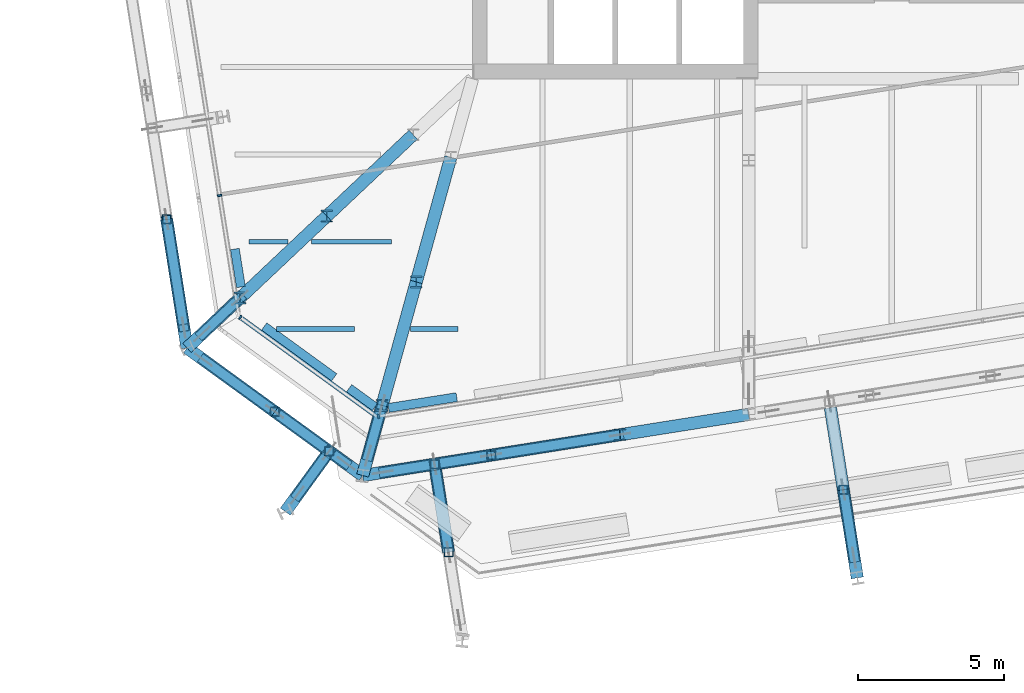
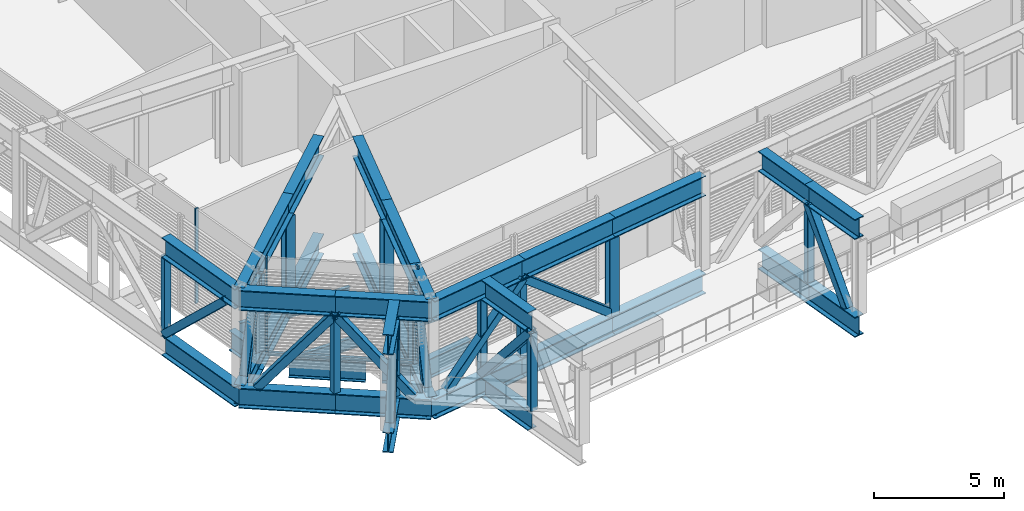
# One storey, part 3 of 35: 40 beams, 26 members, 3 elements without a shape of their own.
"""IFC4 building model written with IfcOpenShell, lengths in metres."""

from ifc_helpers import new_model, si_unit, direction, frame, origin, origin_2d, place, context, subcontext, project, spatial, rectangle, hollow_rectangle, i_section, extrude, material, layer, layer_set, material_profile, profile_set, type_object, element, aggregate, save


model = new_model("IFC4")

# Units and contexts
model_context = context("Model", 3, precision=1e-05, world=origin(), true_north=direction((0.0, 1.0)))
body_context = subcontext(model_context, "Body", "Model", "MODEL_VIEW")
ifc_project = project(units=[si_unit("LENGTHUNIT", "METRE"), si_unit("AREAUNIT", "SQUARE_METRE"), si_unit("VOLUMEUNIT", "CUBIC_METRE"), si_unit("PLANEANGLEUNIT", "RADIAN"), si_unit("MASSUNIT", "GRAM", prefix="KILO")], contexts=[model_context])

# Site, building, storey
site_placement = place(None, origin())
site = spatial("IfcSite", under=ifc_project, at=site_placement, CompositionType="ELEMENT")
building_placement = place(site_placement, origin())
building = spatial("IfcBuilding", under=site, at=building_placement, Name="Millrace Tower", CompositionType="ELEMENT")
storey_placement = place(building_placement, frame((0.0, 0.0, 200.10009765625)))
storey = spatial("IfcBuildingStorey", under=building, at=storey_placement, Name="L45", CompositionType="ELEMENT", Elevation=200.10009765625)

# Curtain wall, member
ifc_material_1 = material(Name="Aluminium and glass", Category="aluminium")
ifc_layer = layer(ifc_material_1, 0.14990234375)
ifc_layer_set = layer_set([ifc_layer], Name="Aluminium and glass")
curtain_wall_type = type_object("IfcCurtainWallType", Name="CW-5 truss and plant storey louvred infill", PredefinedType="NOTDEFINED", material=ifc_layer_set)
placement = place(storey_placement, origin())
curtain_wall_1 = element("IfcCurtainWall", 1, at=placement, inside=storey, type_object=curtain_wall_type, Name="Curtain wall D-F01 L45", PredefinedType="NOTDEFINED")
ifc_material_2 = material(Name="Aluminium", Category="aluminium")
ifc_material_profile_1 = material_profile(ifc_material_2, rectangle(XDim=0.06494140625, YDim=0.14990234375, at=origin_2d()))
ifc_profile_set_1 = profile_set([ifc_material_profile_1], Name="Aluminium")
member_type_1 = type_object("IfcMemberType", Name="CW-5 truss and plant storey louvred infill mullion", PredefinedType="MULLION", material=ifc_profile_set_1)
member_1_placement = place(storey_placement, frame((-22.3779296875, -17.594970703125, 0.139892578125), z_axis=(0.0, 0.0, 1.0), x_axis=(0.809016955361, -0.587785305991, 0.0)))
member_1 = element("IfcMember", 2, at=member_1_placement, type_object=member_type_1, Name="CW5 mullion D-F01.1", PredefinedType="MULLION", context=body_context, shape_type="SweptSolid", body=[
    extrude(rectangle(XDim=0.06494140625, YDim=0.14990234375, at=origin_2d()), origin(), (0.0, 0.0, 1.0), 4.4599609375),
])

curtain_wall_2 = element("IfcCurtainWall", 3, at=placement, inside=storey, type_object=curtain_wall_type, Name="Curtain wall D-F02 L45", PredefinedType="NOTDEFINED")
member_2_placement = place(storey_placement, frame((-17.62548828125, -20.992431640625, 0.139892578125), z_axis=(0.0, 0.0, 1.0), x_axis=(0.987688339511, 0.156434471884, 0.0)))
member_2 = element("IfcMember", 4, at=member_2_placement, type_object=member_type_1, Name="CW5 mullion D-F02.1", PredefinedType="MULLION", context=body_context, shape_type="SweptSolid", body=[
    extrude(rectangle(XDim=0.06494140625, YDim=0.14990234375, at=origin_2d()), origin(), (0.0, 0.0, 1.0), 4.4599609375),
])
aggregate(curtain_wall_2, [member_2])

curtain_wall_3 = element("IfcCurtainWall", 5, at=placement, inside=storey, type_object=curtain_wall_type, Name="Curtain wall D-F08 L45", PredefinedType="NOTDEFINED")
member_3_placement = place(storey_placement, frame((-23.086181640625, -13.410888671875, 0.139892578125), z_axis=(0.0, 0.0, 1.0), x_axis=(0.156434471884, -0.987688339511, 0.0)))
member_3 = element("IfcMember", 6, at=member_3_placement, type_object=member_type_1, Name="CW5 mullion D-F08.9", PredefinedType="MULLION", context=body_context, shape_type="SweptSolid", body=[
    extrude(rectangle(XDim=0.06494140625, YDim=0.14990234375, at=origin_2d()), origin(), (0.0, 0.0, 1.0), 4.4599609375),
])
aggregate(curtain_wall_3, [member_3])

# Member
ifc_material_3 = material(Name="Aluminium", Category="aluminium")
ifc_material_profile_2 = material_profile(ifc_material_3, rectangle(XDim=0.14990234375, YDim=0.139892578125, at=origin_2d()))
ifc_profile_set_2 = profile_set([ifc_material_profile_2], Name="Aluminium")
member_type_2 = type_object("IfcMemberType", Name="CW-5 truss and plant storey louvred infill transom", PredefinedType="USERDEFINED", material=ifc_profile_set_2)
member_4_placement = place(storey_placement, frame((-22.323486328125, -17.634765625, 0.06982421875), z_axis=(0.809033935994, -0.587761933448, 0.0), x_axis=(0.587761933448, 0.809033935994, 0.0)))
member_4 = element("IfcMember", 7, at=member_4_placement, type_object=member_type_2, Name="CW5 transom D-F01.1", ObjectType="TRANSOM", PredefinedType="USERDEFINED", context=body_context, shape_type="SweptSolid", body=[
    extrude(rectangle(XDim=0.14990234375, YDim=0.139892578125, at=origin_2d()), origin(), (0.0, 0.0, 1.0), 5.598388671875),
])

aggregate(curtain_wall_1, [member_1, member_4])

# Beams
ifc_material_4 = material(Name="Steel ASTM A992 Grade 50", Category="steel")
ifc_material_profile_3 = material_profile(ifc_material_4, i_section(OverallWidth=0.1650390625, OverallDepth=0.52587890625, WebThickness=0.0087890625, FlangeThickness=0.011474609375, FilletRadius=0.0126953125, at=origin_2d()))
ifc_profile_set_3 = profile_set([ifc_material_profile_3], Name="Steel ASTM A992 Grade 50")
beam_type_1 = type_object("IfcBeamType", Name="Floor beam W21x44", PredefinedType="JOIST", material=ifc_profile_set_3)
beam_1_placement = place(storey_placement, frame((-21.13427734375, -18.0, -0.423095703125), z_axis=(1.0, 0.0, 0.0), x_axis=(0.0, 1.0, 0.0)))
element("IfcBeam", 8, at=beam_1_placement, inside=storey, type_object=beam_type_1, Name="BM-D-L45-S1-S001-a", PredefinedType="JOIST", context=body_context, shape_type="SweptSolid", body=[
    extrude(i_section(OverallWidth=0.1650390625, OverallDepth=0.52587890625, WebThickness=0.0087890625, FlangeThickness=0.011474609375, FilletRadius=0.0126953125, at=origin_2d()), origin(), (0.0, 0.0, 1.0), 2.685546875),
])
beam_2_placement = place(storey_placement, frame((-16.5361328125, -18.0, -0.423095703125), z_axis=(1.0, 0.0, 0.0), x_axis=(0.0, 1.0, 0.0)))
element("IfcBeam", 9, at=beam_2_placement, inside=storey, type_object=beam_type_1, Name="BM-D-L45-S1-S001-b", PredefinedType="JOIST", context=body_context, shape_type="SweptSolid", body=[
    extrude(i_section(OverallWidth=0.1650390625, OverallDepth=0.52587890625, WebThickness=0.0087890625, FlangeThickness=0.011474609375, FilletRadius=0.0126953125, at=origin_2d()), origin(), (0.0, 0.0, 1.0), 1.6328125),
])
beam_3_placement = place(storey_placement, frame((-22.08154296875, -15.0, -0.423095703125), z_axis=(1.0, 0.0, 0.0), x_axis=(0.0, 1.0, 0.0)))
element("IfcBeam", 10, at=beam_3_placement, inside=storey, type_object=beam_type_1, Name="BM-D-L45-S1-S002-a-a", PredefinedType="JOIST", context=body_context, shape_type="SweptSolid", body=[
    extrude(i_section(OverallWidth=0.1650390625, OverallDepth=0.52587890625, WebThickness=0.0087890625, FlangeThickness=0.011474609375, FilletRadius=0.0126953125, at=origin_2d()), origin(), (0.0, 0.0, 1.0), 1.341064453125),
])
beam_4_placement = place(storey_placement, frame((-19.9375, -15.0, -0.423095703125), z_axis=(1.0, 0.0, 0.0), x_axis=(0.0, 1.0, 0.0)))
element("IfcBeam", 11, at=beam_4_placement, inside=storey, type_object=beam_type_1, Name="BM-D-L45-S1-S002-a-b", PredefinedType="JOIST", context=body_context, shape_type="SweptSolid", body=[
    extrude(i_section(OverallWidth=0.1650390625, OverallDepth=0.52587890625, WebThickness=0.0087890625, FlangeThickness=0.011474609375, FilletRadius=0.0126953125, at=origin_2d()), origin(), (0.0, 0.0, 1.0), 2.7568359375),
])
ifc_material_5 = material(Name="Steel ASTM A992 Grade 50", Category="steel")
ifc_material_profile_4 = material_profile(ifc_material_5, i_section(OverallWidth=0.307373046875, OverallDepth=0.927001953125, WebThickness=0.01953125, FlangeThickness=0.031982421875, FilletRadius=0.01904296875, at=origin_2d()))
ifc_profile_set_4 = profile_set([ifc_material_profile_4], Name="Steel ASTM A992 Grade 50")
beam_type_2 = type_object("IfcBeamType", Name="Ring beam short span W36x194", PredefinedType="SPANDREL", material=ifc_profile_set_4)
beam_5_placement = place(storey_placement, frame((-19.1513671875, -19.65673828125, -0.62353515625), z_axis=(-0.808998638926, 0.587810515571, 0.0), x_axis=(-0.587810515571, -0.808998638926, 0.0)))
element("IfcBeam", 12, at=beam_5_placement, inside=storey, type_object=beam_type_2, Name="RNG-D-L45-S1-16-b", PredefinedType="SPANDREL", context=body_context, shape_type="SweptSolid", body=[
    extrude(i_section(OverallWidth=0.307373046875, OverallDepth=0.927001953125, WebThickness=0.01953125, FlangeThickness=0.031982421875, FilletRadius=0.01904296875, at=origin_2d()), origin(), (0.0, 0.0, 1.0), 2.974609375),
])
beam_6_placement = place(storey_placement, frame((-17.75048828125, -20.674560546875, -0.62353515625), z_axis=(-0.808928348307, 0.587907243794, 0.0), x_axis=(-0.587907243794, -0.808928348307, 0.0)))
element("IfcBeam", 13, at=beam_6_placement, inside=storey, type_object=beam_type_2, Name="RNG-D-L45-S1-16-a", PredefinedType="SPANDREL", context=body_context, shape_type="SweptSolid", body=[
    extrude(i_section(OverallWidth=0.307373046875, OverallDepth=0.927001953125, WebThickness=0.01953125, FlangeThickness=0.031982421875, FilletRadius=0.01904296875, at=origin_2d()), origin(), (0.0, 0.0, 1.0), 1.097900390625),
])
beam_7_placement = place(storey_placement, frame((-14.941650390625, -20.3359375, -0.62353515625), z_axis=(-0.987693622101, -0.156401115282, 0.0), x_axis=(0.156401115282, -0.987693622101, 0.0)))
element("IfcBeam", 14, at=beam_7_placement, inside=storey, type_object=beam_type_2, Name="RNG-D-L45-S1-15-b", PredefinedType="SPANDREL", context=body_context, shape_type="SweptSolid", body=[
    extrude(i_section(OverallWidth=0.307373046875, OverallDepth=0.927001953125, WebThickness=0.01953125, FlangeThickness=0.031982421875, FilletRadius=0.01904296875, at=origin_2d()), origin(), (0.0, 0.0, 1.0), 2.372802734375),
])
beam_8_placement = place(storey_placement, frame((-22.357177734375, -16.552490234375, -0.62353515625), z_axis=(-0.156484349296, 0.987680438414, 0.0), x_axis=(-0.987680438414, -0.156484349296, 0.0)))
element("IfcBeam", 15, at=beam_8_placement, inside=storey, type_object=beam_type_2, Name="RNG-D-L45-S1-01", PredefinedType="SPANDREL", context=body_context, shape_type="SweptSolid", body=[
    extrude(i_section(OverallWidth=0.307373046875, OverallDepth=0.927001953125, WebThickness=0.01953125, FlangeThickness=0.031982421875, FilletRadius=0.01904296875, at=origin_2d()), origin(), (0.0, 0.0, 1.0), 1.321533203125),
])

# Members
ifc_material_6 = material(Name="Steel ASTM A992 Grade 50", Category="steel")
ifc_material_profile_5 = material_profile(ifc_material_6, i_section(OverallWidth=0.40380859375, OverallDepth=0.406494140625, WebThickness=0.027099609375, FlangeThickness=0.043701171875, FilletRadius=0.01513671875, at=origin_2d()))
ifc_profile_set_5 = profile_set([ifc_material_profile_5], Name="Steel ASTM A992 Grade 50")
member_type_3 = type_object("IfcMemberType", Name="Transfer truss Vierendeel moment post W14x233", PredefinedType="POST", material=ifc_profile_set_5)
for number, where, z_axis, x_axis, name in (
    (16, (-9.33251953125, -21.6279296875, -0.16015625), (0.0, 0.0, 1.0), (1.0, 0.0, 0.0), "TRS-L45-R02-V02"),
    (17, (-22.38720703125, -16.931396484375, -0.16015625), (0.0, 0.0, 1.0), (1.0, 0.0, 0.0), "TRS-L45-C01-V01"),
    (18, (-19.404052734375, -14.118408203125, -0.16015625), (0.0, 0.0, 1.0), (1.0, 0.0, 0.0), "TRS-L45-C01-V02"),
    (19, (-17.50732421875, -20.619140625, -0.16015625), (0.0, 0.0, 1.0), (1.0, 0.0, 0.0), "TRS-L45-C02-V01"),
    (20, (-16.3330078125, -16.378662109375, -0.16015625), (0.0, 0.0, 1.0), (1.0, 0.0, 0.0), "TRS-L45-C02-V02"),
):
    element("IfcMember", number, at=place(storey_placement, frame(where, z_axis=z_axis, x_axis=x_axis)), inside=storey, type_object=member_type_3, Name=name, PredefinedType="POST", context=body_context, shape_type="SweptSolid", body=[
        extrude(i_section(OverallWidth=0.40380859375, OverallDepth=0.406494140625, WebThickness=0.027099609375, FlangeThickness=0.043701171875, FilletRadius=0.01513671875, at=origin_2d()), origin(), (0.0, 0.0, 1.0), 3.652587890625),
    ])

# Beams
ifc_material_7 = material(Name="Steel ASTM A992 Grade 50", Category="steel")
ifc_material_profile_6 = material_profile(ifc_material_7, i_section(OverallWidth=0.424072265625, OverallDepth=0.947509765625, WebThickness=0.02392578125, FlangeThickness=0.042724609375, FilletRadius=0.024169921875, at=origin_2d()))
ifc_profile_set_6 = profile_set([ifc_material_profile_6], Name="Steel ASTM A992 Grade 50")
beam_type_3 = type_object("IfcBeamType", Name="Transfer truss chord W36x302", PredefinedType="BEAM", material=ifc_profile_set_6)
for number, where, z_axis, x_axis, name in (
    (21, (-24.2060546875, -18.646484375, -0.6337890625), (0.809024883744, -0.587774393355, 0.0), (0.587774393355, 0.809024883744, 0.0), "TRS-L45-R01-B01"),
    (22, (-24.2060546875, -18.646484375, 3.96630859375), (0.809024883744, -0.587774393355, 0.0), (0.587774393355, 0.809024883744, 0.0), "TRS-L45-R01-T01"),
):
    element("IfcBeam", number, at=place(storey_placement, frame(where, z_axis=z_axis, x_axis=x_axis)), inside=storey, type_object=beam_type_3, Name=name, PredefinedType="BEAM", context=body_context, shape_type="SweptSolid", body=[
        extrude(i_section(OverallWidth=0.424072265625, OverallDepth=0.947509765625, WebThickness=0.02392578125, FlangeThickness=0.042724609375, FilletRadius=0.024169921875, at=origin_2d()), origin(), (0.0, 0.0, 1.0), 3.7275390625),
    ])
for number, where, z_axis, x_axis, name in (
    (23, (-21.1904296875, -20.83740234375, -0.6337890625), (0.809047509932, -0.587743248938, 0.0), (0.587743248938, 0.809047509932, 0.0), "TRS-L45-R01-B02"),
    (24, (-21.1904296875, -20.83740234375, 3.96630859375), (0.809047509932, -0.587743248938, 0.0), (0.587743248938, 0.809047509932, 0.0), "TRS-L45-R01-T02"),
):
    element("IfcBeam", number, at=place(storey_placement, frame(where, z_axis=z_axis, x_axis=x_axis)), inside=storey, type_object=beam_type_3, Name=name, PredefinedType="BEAM", context=body_context, shape_type="SweptSolid", body=[
        extrude(i_section(OverallWidth=0.424072265625, OverallDepth=0.947509765625, WebThickness=0.02392578125, FlangeThickness=0.042724609375, FilletRadius=0.024169921875, at=origin_2d()), origin(), (0.0, 0.0, 1.0), 3.727783203125),
    ])
for number, where, z_axis, x_axis, name in (
    (25, (-18.174560546875, -23.0283203125, -0.6337890625), (0.987688555037, 0.156433111103, 0.0), (-0.156433111103, 0.987688555037, 0.0), "TRS-L45-R02-B01"),
    (26, (-18.174560546875, -23.0283203125, 3.96630859375), (0.987688555037, 0.156433111103, 0.0), (-0.156433111103, 0.987688555037, 0.0), "TRS-L45-R02-T01"),
):
    element("IfcBeam", number, at=place(storey_placement, frame(where, z_axis=z_axis, x_axis=x_axis)), inside=storey, type_object=beam_type_3, Name=name, PredefinedType="BEAM", context=body_context, shape_type="SweptSolid", body=[
        extrude(i_section(OverallWidth=0.424072265625, OverallDepth=0.947509765625, WebThickness=0.02392578125, FlangeThickness=0.042724609375, FilletRadius=0.024169921875, at=origin_2d()), origin(), (0.0, 0.0, 1.0), 4.47607421875),
    ])
for number, where, z_axis, x_axis, name in (
    (27, (-13.753662109375, -22.328125, -0.6337890625), (0.9876898897, 0.156424684061, 0.0), (-0.156424684061, 0.9876898897, 0.0), "TRS-L45-R02-B02"),
    (28, (-13.753662109375, -22.328125, 3.96630859375), (0.9876898897, 0.156424684061, 0.0), (-0.156424684061, 0.9876898897, 0.0), "TRS-L45-R02-T02"),
):
    element("IfcBeam", number, at=place(storey_placement, frame(where, z_axis=z_axis, x_axis=x_axis)), inside=storey, type_object=beam_type_3, Name=name, PredefinedType="BEAM", context=body_context, shape_type="SweptSolid", body=[
        extrude(i_section(OverallWidth=0.424072265625, OverallDepth=0.947509765625, WebThickness=0.02392578125, FlangeThickness=0.042724609375, FilletRadius=0.024169921875, at=origin_2d()), origin(), (0.0, 0.0, 1.0), 4.476318359375),
    ])
for number, where, z_axis, x_axis, name in (
    (29, (-9.33251953125, -21.6279296875, -0.6337890625), (0.987688555037, 0.156433111103, 0.0), (-0.156433111103, 0.987688555037, 0.0), "TRS-L45-R02-B03"),
    (30, (-9.33251953125, -21.6279296875, 3.96630859375), (0.987688555037, 0.156433111103, 0.0), (-0.156433111103, 0.987688555037, 0.0), "TRS-L45-R02-T03"),
):
    element("IfcBeam", number, at=place(storey_placement, frame(where, z_axis=z_axis, x_axis=x_axis)), inside=storey, type_object=beam_type_3, Name=name, PredefinedType="BEAM", context=body_context, shape_type="SweptSolid", body=[
        extrude(i_section(OverallWidth=0.424072265625, OverallDepth=0.947509765625, WebThickness=0.02392578125, FlangeThickness=0.042724609375, FilletRadius=0.024169921875, at=origin_2d()), origin(), (0.0, 0.0, 1.0), 4.47607421875),
    ])
for number, where, z_axis, x_axis, name in (
    (31, (-24.90625, -14.225341796875, -0.6337890625), (0.156424684061, -0.9876898897, 0.0), (0.9876898897, 0.156424684061, 0.0), "TRS-L45-R16-B03"),
    (32, (-24.90625, -14.225341796875, 3.96630859375), (0.156424684061, -0.9876898897, 0.0), (0.9876898897, 0.156424684061, 0.0), "TRS-L45-R16-T03"),
):
    element("IfcBeam", number, at=place(storey_placement, frame(where, z_axis=z_axis, x_axis=x_axis)), inside=storey, type_object=beam_type_3, Name=name, PredefinedType="BEAM", context=body_context, shape_type="SweptSolid", body=[
        extrude(i_section(OverallWidth=0.424072265625, OverallDepth=0.947509765625, WebThickness=0.02392578125, FlangeThickness=0.042724609375, FilletRadius=0.024169921875, at=origin_2d()), origin(), (0.0, 0.0, 1.0), 4.476318359375),
    ])
for number, where, z_axis, x_axis, name in (
    (33, (-24.2060546875, -18.646484375, -0.6337890625), (0.727554587562, 0.686049795654, 0.0), (-0.686049795654, 0.727554587562, 0.0), "TRS-L45-C01-B01"),
    (34, (-24.2060546875, -18.646484375, 3.96630859375), (0.727554587562, 0.686049795654, 0.0), (-0.686049795654, 0.727554587562, 0.0), "TRS-L45-C01-T01"),
):
    element("IfcBeam", number, at=place(storey_placement, frame(where, z_axis=z_axis, x_axis=x_axis)), inside=storey, type_object=beam_type_3, Name=name, PredefinedType="BEAM", context=body_context, shape_type="SweptSolid", body=[
        extrude(i_section(OverallWidth=0.424072265625, OverallDepth=0.947509765625, WebThickness=0.02392578125, FlangeThickness=0.042724609375, FilletRadius=0.024169921875, at=origin_2d()), origin(), (0.0, 0.0, 1.0), 2.5),
    ])
for number, where, z_axis, x_axis, name in (
    (35, (-22.38720703125, -16.931396484375, -0.6337890625), (0.727552892119, 0.686051593665, 0.0), (-0.686051593665, 0.727552892119, 0.0), "TRS-L45-C01-B02"),
    (36, (-22.38720703125, -16.931396484375, 3.96630859375), (0.727552892119, 0.686051593665, 0.0), (-0.686051593665, 0.727552892119, 0.0), "TRS-L45-C01-T02"),
):
    element("IfcBeam", number, at=place(storey_placement, frame(where, z_axis=z_axis, x_axis=x_axis)), inside=storey, type_object=beam_type_3, Name=name, PredefinedType="BEAM", context=body_context, shape_type="SweptSolid", body=[
        extrude(i_section(OverallWidth=0.424072265625, OverallDepth=0.947509765625, WebThickness=0.02392578125, FlangeThickness=0.042724609375, FilletRadius=0.024169921875, at=origin_2d()), origin(), (0.0, 0.0, 1.0), 4.100341796875),
    ])
for number, where, z_axis, x_axis, name in (
    (37, (-19.404052734375, -14.118408203125, -0.6337890625), (0.727577452162, 0.686025546977, 0.0), (-0.686025546977, 0.727577452162, 0.0), "TRS-L45-C01-B03"),
    (38, (-19.404052734375, -14.118408203125, 3.96630859375), (0.727577452162, 0.686025546977, 0.0), (-0.686025546977, 0.727577452162, 0.0), "TRS-L45-C01-T03"),
):
    element("IfcBeam", number, at=place(storey_placement, frame(where, z_axis=z_axis, x_axis=x_axis)), inside=storey, type_object=beam_type_3, Name=name, PredefinedType="BEAM", context=body_context, shape_type="SweptSolid", body=[
        extrude(i_section(OverallWidth=0.424072265625, OverallDepth=0.947509765625, WebThickness=0.02392578125, FlangeThickness=0.042724609375, FilletRadius=0.024169921875, at=origin_2d()), origin(), (0.0, 0.0, 1.0), 4.07763671875),
    ])
for number, where, z_axis, x_axis, name in (
    (39, (-18.174560546875, -23.0283203125, -0.6337890625), (0.266908387695, 0.963721906246, 0.0), (-0.963721906246, 0.266908387695, 0.0), "TRS-L45-C02-B01"),
    (40, (-18.174560546875, -23.0283203125, 3.96630859375), (0.266908387695, 0.963721906246, 0.0), (-0.963721906246, 0.266908387695, 0.0), "TRS-L45-C02-T01"),
):
    element("IfcBeam", number, at=place(storey_placement, frame(where, z_axis=z_axis, x_axis=x_axis)), inside=storey, type_object=beam_type_3, Name=name, PredefinedType="BEAM", context=body_context, shape_type="SweptSolid", body=[
        extrude(i_section(OverallWidth=0.424072265625, OverallDepth=0.947509765625, WebThickness=0.02392578125, FlangeThickness=0.042724609375, FilletRadius=0.024169921875, at=origin_2d()), origin(), (0.0, 0.0, 1.0), 2.499755859375),
    ])
for number, where, z_axis, x_axis, name in (
    (41, (-17.50732421875, -20.619140625, -0.6337890625), (0.266885425574, 0.963728265444, 0.0), (-0.963728265444, 0.266885425574, 0.0), "TRS-L45-C02-B02"),
    (42, (-17.50732421875, -20.619140625, 3.96630859375), (0.266885425574, 0.963728265444, 0.0), (-0.963728265444, 0.266885425574, 0.0), "TRS-L45-C02-T02"),
):
    element("IfcBeam", number, at=place(storey_placement, frame(where, z_axis=z_axis, x_axis=x_axis)), inside=storey, type_object=beam_type_3, Name=name, PredefinedType="BEAM", context=body_context, shape_type="SweptSolid", body=[
        extrude(i_section(OverallWidth=0.424072265625, OverallDepth=0.947509765625, WebThickness=0.02392578125, FlangeThickness=0.042724609375, FilletRadius=0.024169921875, at=origin_2d()), origin(), (0.0, 0.0, 1.0), 4.400146484375),
    ])
for number, where, z_axis, x_axis, name in (
    (43, (-16.3330078125, -16.378662109375, -0.6337890625), (0.266929351016, 0.963716100087, 0.0), (-0.963716100087, 0.266929351016, 0.0), "TRS-L45-C02-B03"),
    (44, (-16.3330078125, -16.378662109375, 3.96630859375), (0.266929351016, 0.963716100087, 0.0), (-0.963716100087, 0.266929351016, 0.0), "TRS-L45-C02-T03"),
):
    element("IfcBeam", number, at=place(storey_placement, frame(where, z_axis=z_axis, x_axis=x_axis)), inside=storey, type_object=beam_type_3, Name=name, PredefinedType="BEAM", context=body_context, shape_type="SweptSolid", body=[
        extrude(i_section(OverallWidth=0.424072265625, OverallDepth=0.947509765625, WebThickness=0.02392578125, FlangeThickness=0.042724609375, FilletRadius=0.024169921875, at=origin_2d()), origin(), (0.0, 0.0, 1.0), 4.44140625),
    ])
for number, where, z_axis, x_axis, name in (
    (45, (-20.829345703125, -24.26904296875, -0.6337890625), (0.587739563695, 0.809050187113, 0.0), (-0.809050187113, 0.587739563695, 0.0), "TRS-L45-B-C-X01-B01"),
    (46, (-20.829345703125, -24.26904296875, 3.96630859375), (0.587739563695, 0.809050187113, 0.0), (-0.809050187113, 0.587739563695, 0.0), "TRS-L45-B-C-X01-T01"),
):
    element("IfcBeam", number, at=place(storey_placement, frame(where, z_axis=z_axis, x_axis=x_axis)), inside=storey, type_object=beam_type_3, Name=name, PredefinedType="BEAM", context=body_context, shape_type="SweptSolid", body=[
        extrude(i_section(OverallWidth=0.424072265625, OverallDepth=0.947509765625, WebThickness=0.02392578125, FlangeThickness=0.042724609375, FilletRadius=0.024169921875, at=origin_2d()), origin(), (0.0, 0.0, 1.0), 2.35205078125),
    ])
for number, where, z_axis, x_axis, name in (
    (47, (-15.220458984375, -25.66455078125, -0.6337890625), (-0.156472157189, 0.987682370008, 0.0), (-0.987682370008, -0.156472157189, 0.0), "TRS-L45-B-C-X02-B02"),
    (48, (-15.220458984375, -25.66455078125, 3.96630859375), (-0.156472157189, 0.987682370008, 0.0), (-0.987682370008, -0.156472157189, 0.0), "TRS-L45-B-C-X02-T02"),
):
    element("IfcBeam", number, at=place(storey_placement, frame(where, z_axis=z_axis, x_axis=x_axis)), inside=storey, type_object=beam_type_3, Name=name, PredefinedType="BEAM", context=body_context, shape_type="SweptSolid", body=[
        extrude(i_section(OverallWidth=0.424072265625, OverallDepth=0.947509765625, WebThickness=0.02392578125, FlangeThickness=0.042724609375, FilletRadius=0.024169921875, at=origin_2d()), origin(), (0.0, 0.0, 1.0), 2.853759765625),
    ])
for number, where, z_axis, x_axis, name in (
    (49, (-1.181396484375, -26.545166015625, -0.6337890625), (-0.156477795833, 0.987681476698, 0.0), (-0.987681476698, -0.156477795833, 0.0), "TRS-L45-B-C-X03-B01"),
    (50, (-1.181396484375, -26.545166015625, 3.96630859375), (-0.156477795833, 0.987681476698, 0.0), (-0.987681476698, -0.156477795833, 0.0), "TRS-L45-B-C-X03-T01"),
):
    element("IfcBeam", number, at=place(storey_placement, frame(where, z_axis=z_axis, x_axis=x_axis)), inside=storey, type_object=beam_type_3, Name=name, PredefinedType="BEAM", context=body_context, shape_type="SweptSolid", body=[
        extrude(i_section(OverallWidth=0.424072265625, OverallDepth=0.947509765625, WebThickness=0.02392578125, FlangeThickness=0.042724609375, FilletRadius=0.024169921875, at=origin_2d()), origin(), (0.0, 0.0, 1.0), 3.06591796875),
    ])
for number, where, z_axis, x_axis, name in (
    (51, (-1.6611328125, -23.51708984375, -0.6337890625), (-0.156375485828, 0.98769768018, 0.0), (-0.98769768018, -0.156375485828, 0.0), "TRS-L45-B-C-X03-B02"),
    (52, (-1.6611328125, -23.51708984375, 3.96630859375), (-0.156375485828, 0.98769768018, 0.0), (-0.98769768018, -0.156375485828, 0.0), "TRS-L45-B-C-X03-T02"),
):
    element("IfcBeam", number, at=place(storey_placement, frame(where, z_axis=z_axis, x_axis=x_axis)), inside=storey, type_object=beam_type_3, Name=name, PredefinedType="BEAM", context=body_context, shape_type="SweptSolid", body=[
        extrude(i_section(OverallWidth=0.424072265625, OverallDepth=0.947509765625, WebThickness=0.02392578125, FlangeThickness=0.042724609375, FilletRadius=0.024169921875, at=origin_2d()), origin(), (0.0, 0.0, 1.0), 2.85400390625),
    ])

# Members
ifc_material_8 = material(Name="Steel ASTM A500 Grade C", Category="steel")
ifc_material_profile_7 = material_profile(ifc_material_8, hollow_rectangle(XDim=0.355712890625, YDim=0.355712890625, WallThickness=0.015869140625, InnerFilletRadius=0.008056640625, OuterFilletRadius=0.02392578125, at=origin_2d()))
ifc_profile_set_7 = profile_set([ifc_material_profile_7], Name="Steel ASTM A500 Grade C")
member_type_4 = type_object("IfcMemberType", Name="Transfer truss diagonal HSS14x14x5/8", PredefinedType="BRACE", material=ifc_profile_set_7)
member_5_placement = place(storey_placement, frame((-23.6396484375, -19.057861328125, -0.16015625), z_axis=(0.516262217598, -0.375103200167, 0.769916171999), x_axis=(0.58780242498, 0.809004517409, 0.0)))
element("IfcMember", 53, at=member_5_placement, inside=storey, type_object=member_type_4, Name="TRS-L45-R01-D01", PredefinedType="BRACE", context=body_context, shape_type="SweptSolid", body=[
    extrude(hollow_rectangle(XDim=0.355712890625, YDim=0.355712890625, WallThickness=0.015869140625, InnerFilletRadius=0.008056640625, OuterFilletRadius=0.02392578125, at=origin_2d()), origin(), (0.0, 0.0, 1.0), 4.744140625),
])
member_6_placement = place(storey_placement, frame((-18.740966796875, -22.616943359375, -0.16015625), z_axis=(-0.516299961764, 0.375093234456, 0.76989571693), x_axis=(-0.587764078554, -0.809032377573, 0.0)))
element("IfcMember", 54, at=member_6_placement, inside=storey, type_object=member_type_4, Name="TRS-L45-R01-D02", PredefinedType="BRACE", context=body_context, shape_type="SweptSolid", body=[
    extrude(hollow_rectangle(XDim=0.355712890625, YDim=0.355712890625, WallThickness=0.015869140625, InnerFilletRadius=0.008056640625, OuterFilletRadius=0.02392578125, at=origin_2d()), origin(), (0.0, 0.0, 1.0), 4.744384765625),
])
member_7_placement = place(storey_placement, frame((-17.4833984375, -22.9189453125, -0.16015625), z_axis=(0.70992517153, 0.112457872298, 0.695240589858), x_axis=(-0.156457227145, 0.987684735163, 0.0)))
element("IfcMember", 55, at=member_7_placement, inside=storey, type_object=member_type_4, Name="TRS-L45-R02-D01", PredefinedType="BRACE", context=body_context, shape_type="SweptSolid", body=[
    extrude(hollow_rectangle(XDim=0.355712890625, YDim=0.355712890625, WallThickness=0.015869140625, InnerFilletRadius=0.008056640625, OuterFilletRadius=0.02392578125, at=origin_2d()), origin(), (0.0, 0.0, 1.0), 5.253662109375),
])
member_8_placement = place(storey_placement, frame((-9.33251953125, -21.6279296875, -0.16015625), z_axis=(-0.765249821658, -0.121195896434, 0.632221689868), x_axis=(0.156424684061, -0.9876898897, 0.0)))
element("IfcMember", 56, at=member_8_placement, inside=storey, type_object=member_type_4, Name="TRS-L45-R02-D02", PredefinedType="BRACE", context=body_context, shape_type="SweptSolid", body=[
    extrude(hollow_rectangle(XDim=0.355712890625, YDim=0.355712890625, WallThickness=0.015869140625, InnerFilletRadius=0.008056640625, OuterFilletRadius=0.02392578125, at=origin_2d()), origin(), (0.0, 0.0, 1.0), 5.77734375),
])
member_9_placement = place(storey_placement, frame((-24.90625, -14.225341796875, -0.16015625), z_axis=(0.112457872298, -0.70992517153, 0.695240589858), x_axis=(0.987684735163, 0.156457227145, 0.0)))
element("IfcMember", 57, at=member_9_placement, inside=storey, type_object=member_type_4, Name="TRS-L45-R16-D03", PredefinedType="BRACE", context=body_context, shape_type="SweptSolid", body=[
    extrude(hollow_rectangle(XDim=0.355712890625, YDim=0.355712890625, WallThickness=0.015869140625, InnerFilletRadius=0.008056640625, OuterFilletRadius=0.02392578125, at=origin_2d()), origin(), (0.0, 0.0, 1.0), 5.253662109375),
])
for number, where, z_axis, x_axis, name in (
    (58, (-23.69677734375, -18.166259765625, -0.16015625), (0.32160297404, 0.303256495655, 0.896998899069), (-0.686049795654, 0.727554587562, 0.0), "TRS-L45-C01-D01"),
    (59, (-17.98779296875, -22.353759765625, -0.16015625), (0.117993421525, 0.425987428827, 0.897001818815), (-0.963713918789, 0.266937226203, 0.0), "TRS-L45-C02-D01"),
):
    element("IfcMember", number, at=place(storey_placement, frame(where, z_axis=z_axis, x_axis=x_axis)), inside=storey, type_object=member_type_4, Name=name, PredefinedType="BRACE", context=body_context, shape_type="SweptSolid", body=[
        extrude(hollow_rectangle(XDim=0.355712890625, YDim=0.355712890625, WallThickness=0.015869140625, InnerFilletRadius=0.008056640625, OuterFilletRadius=0.02392578125, at=origin_2d()), origin(), (0.0, 0.0, 1.0), 4.072021484375),
    ])
member_10_placement = place(storey_placement, frame((-20.41796875, -23.702880859375, -0.16015625), z_axis=(0.267189556442, 0.367802379613, 0.890691389023), x_axis=(-0.809053095345, 0.587735560361, 0.0)))
element("IfcMember", 60, at=member_10_placement, inside=storey, type_object=member_type_4, Name="TRS-L45-B-C-X01-D01", PredefinedType="BRACE", context=body_context, shape_type="SweptSolid", body=[
    extrude(hollow_rectangle(XDim=0.355712890625, YDim=0.355712890625, WallThickness=0.015869140625, InnerFilletRadius=0.008056640625, OuterFilletRadius=0.02392578125, at=origin_2d()), origin(), (0.0, 0.0, 1.0), 4.100830078125),
])
member_11_placement = place(storey_placement, frame((-15.7001953125, -22.636474609375, -0.16015625), z_axis=(0.100600427829, -0.634985804765, 0.765945547456), x_axis=(0.987681476698, 0.156477795833, 0.0)))
element("IfcMember", 61, at=member_11_placement, inside=storey, type_object=member_type_4, Name="TRS-L45-B-C-X02-D02", PredefinedType="BRACE", context=body_context, shape_type="SweptSolid", body=[
    extrude(hollow_rectangle(XDim=0.355712890625, YDim=0.355712890625, WallThickness=0.015869140625, InnerFilletRadius=0.008056640625, OuterFilletRadius=0.02392578125, at=origin_2d()), origin(), (0.0, 0.0, 1.0), 4.768798828125),
])
member_12_placement = place(storey_placement, frame((-1.291015625, -25.853759765625, -0.16015625), z_axis=(-0.085048661016, 0.536939798541, 0.839322570888), x_axis=(-0.987686705872, -0.156444785926, 0.0)))
element("IfcMember", 62, at=member_12_placement, inside=storey, type_object=member_type_4, Name="TRS-L45-B-C-X03-D01", PredefinedType="BRACE", context=body_context, shape_type="SweptSolid", body=[
    extrude(hollow_rectangle(XDim=0.355712890625, YDim=0.355712890625, WallThickness=0.015869140625, InnerFilletRadius=0.008056640625, OuterFilletRadius=0.02392578125, at=origin_2d()), origin(), (0.0, 0.0, 1.0), 4.351806640625),
])
ifc_material_9 = material(Name="Steel ASTM A500 Grade C", Category="steel")
ifc_material_profile_8 = material_profile(ifc_material_9, hollow_rectangle(XDim=0.3046875, YDim=0.3046875, WallThickness=0.0126953125, InnerFilletRadius=0.00634765625, OuterFilletRadius=0.01904296875, at=origin_2d()))
ifc_profile_set_8 = profile_set([ifc_material_profile_8], Name="Steel ASTM A500 Grade C")
member_type_5 = type_object("IfcMemberType", Name="Transfer truss post HSS12x12x1/2", PredefinedType="POST", material=ifc_profile_set_8)
for number, where, z_axis, x_axis, name in (
    (63, (-21.1904296875, -20.83740234375, -0.16015625), (0.0, 0.0, 1.0), (1.0, 0.0, 0.0), "TRS-L45-R01-V01"),
    (64, (-13.753662109375, -22.328125, -0.16015625), (0.0, 0.0, 1.0), (1.0, 0.0, 0.0), "TRS-L45-R02-V01"),
    (65, (-24.90625, -14.225341796875, -0.16015625), (0.0, 0.0, 1.0), (1.0, 0.0, 0.0), "TRS-L45-R16-V02"),
    (66, (-19.322265625, -22.194580078125, -0.16015625), (0.0, 0.0, 1.0), (1.0, 0.0, 0.0), "TRS-L45-B-C-X01-V01"),
    (67, (-15.220458984375, -25.66455078125, -0.16015625), (0.0, 0.0, 1.0), (1.0, 0.0, 0.0), "TRS-L45-B-C-X02-V01"),
    (68, (-15.7001953125, -22.636474609375, -0.16015625), (0.0, 0.0, 1.0), (1.0, 0.0, 0.0), "TRS-L45-B-C-X02-V02"),
    (69, (-1.6611328125, -23.51708984375, -0.16015625), (0.0, 0.0, 1.0), (1.0, 0.0, 0.0), "TRS-L45-B-C-X03-V01"),
):
    element("IfcMember", number, at=place(storey_placement, frame(where, z_axis=z_axis, x_axis=x_axis)), inside=storey, type_object=member_type_5, Name=name, PredefinedType="POST", context=body_context, shape_type="SweptSolid", body=[
        extrude(hollow_rectangle(XDim=0.3046875, YDim=0.3046875, WallThickness=0.0126953125, InnerFilletRadius=0.00634765625, OuterFilletRadius=0.01904296875, at=origin_2d()), origin(), (0.0, 0.0, 1.0), 3.652587890625),
    ])

save(model, "model.ifc")
